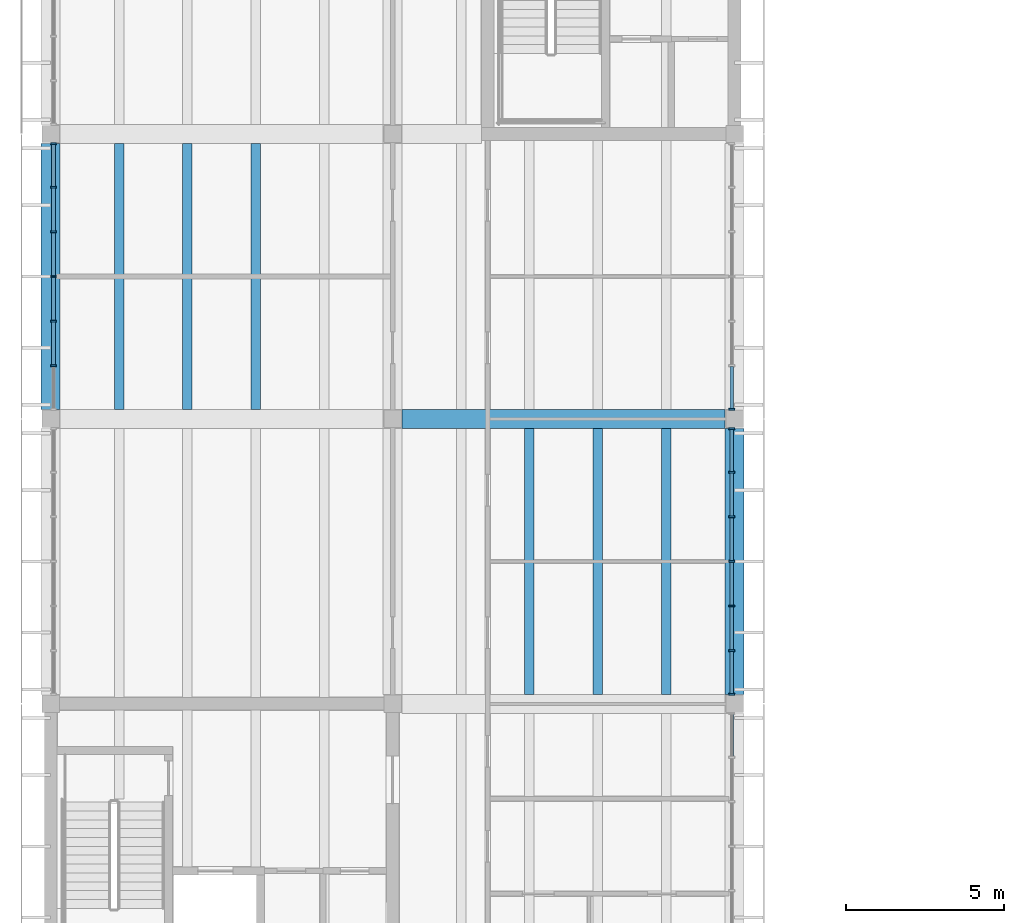
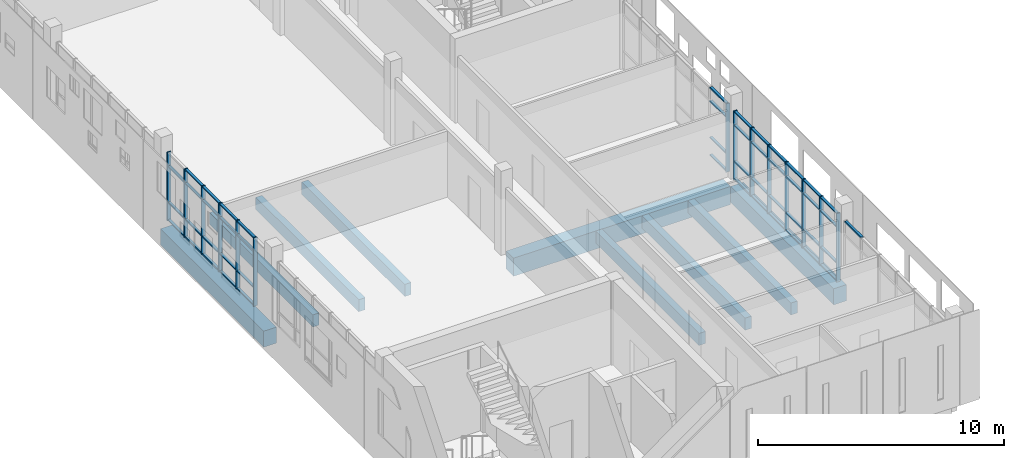
# One storey, part 14 of 74: 62 members, 9 beams, 4 elements without a shape of their own.
"""IFC4 building model written with IfcOpenShell, lengths in metres."""

from ifc_helpers import new_model, si_unit, direction, frame, origin, origin_2d, place, context, subcontext, project, spatial, rectangle, extrude, material, material_profile, profile_set, type_object, element, aggregate, save


model = new_model("IFC4")

# Units and contexts
model_context = context("Model", 3, precision=1e-05, world=origin(), true_north=direction((0.0, 1.0)))
body_context = subcontext(model_context, "Body", "Model", "MODEL_VIEW")
ifc_project = project(units=[si_unit("LENGTHUNIT", "METRE"), si_unit("AREAUNIT", "SQUARE_METRE"), si_unit("VOLUMEUNIT", "CUBIC_METRE"), si_unit("PLANEANGLEUNIT", "RADIAN"), si_unit("MASSUNIT", "GRAM", prefix="KILO")], contexts=[model_context])

# Site, building, storey
site_placement = place(None, origin())
site = spatial("IfcSite", under=ifc_project, at=site_placement, CompositionType="ELEMENT")
building_placement = place(site_placement, origin())
building = spatial("IfcBuilding", under=site, at=building_placement, Name="Merrow Basin Faculty of Sciences", CompositionType="ELEMENT")
storey_placement = place(building_placement, frame((0.0, 0.0, 13.5)))
storey = spatial("IfcBuildingStorey", under=building, at=storey_placement, Name="L03", CompositionType="ELEMENT", Elevation=13.5)

# Curtain wall, members
ifc_material_1 = material(Name="Aluminium alloy 6063", Category="aluminium")
curtain_wall_type = type_object("IfcCurtainWallType", Name="Bar unitised curtain wall 180", PredefinedType="NOTDEFINED", material=ifc_material_1)
curtain_wall_1_placement = place(storey_placement, origin())
curtain_wall_1 = element("IfcCurtainWall", 1, at=curtain_wall_1_placement, inside=storey, type_object=curtain_wall_type, Name="West curtain wall L03 2", PredefinedType="NOTDEFINED")
ifc_material_2 = material(Name="Aluminium alloy 6063", Category="aluminium")
ifc_material_profile_1 = material_profile(ifc_material_2, rectangle(XDim=0.179931640625, YDim=0.06005859375, at=origin_2d()))
ifc_profile_set_1 = profile_set([ifc_material_profile_1], Name="Aluminium alloy 6063")
member_type_1 = type_object("IfcMemberType", Name="Aluminium mullion 60x180", PredefinedType="MULLION", material=ifc_profile_set_1)
member_1_placement = place(storey_placement, frame((0.090087890625, 80.683349609375, 0.0), z_axis=(0.0, 0.0, 1.0), x_axis=(-1.0, 0.0, 0.0)))
member_1 = element("IfcMember", 2, at=member_1_placement, type_object=member_type_1, Name="CW1 mullion 2", PredefinedType="MULLION", context=body_context, shape_type="SweptSolid", body=[
    extrude(rectangle(XDim=0.179931640625, YDim=0.06005859375, at=origin_2d()), origin(), (0.0, 0.0, 1.0), 3.39990234375),
])
member_2_placement = place(storey_placement, frame((0.090087890625, 82.091552734375, 0.0), z_axis=(0.0, 0.0, 1.0), x_axis=(-1.0, 0.0, 0.0)))
member_2 = element("IfcMember", 3, at=member_2_placement, type_object=member_type_1, Name="CW1 mullion 3", PredefinedType="MULLION", context=body_context, shape_type="SweptSolid", body=[
    extrude(rectangle(XDim=0.179931640625, YDim=0.06005859375, at=origin_2d()), origin(), (0.0, 0.0, 1.0), 3.39990234375),
])
member_3_placement = place(storey_placement, frame((0.090087890625, 83.5, 0.0), z_axis=(0.0, 0.0, 1.0), x_axis=(-1.0, 0.0, 0.0)))
member_3 = element("IfcMember", 4, at=member_3_placement, type_object=member_type_1, Name="CW1 mullion 4", PredefinedType="MULLION", context=body_context, shape_type="SweptSolid", body=[
    extrude(rectangle(XDim=0.179931640625, YDim=0.06005859375, at=origin_2d()), origin(), (0.0, 0.0, 1.0), 3.39990234375),
])
member_4_placement = place(storey_placement, frame((0.090087890625, 84.908447265625, 0.0), z_axis=(0.0, 0.0, 1.0), x_axis=(-1.0, 0.0, 0.0)))
member_4 = element("IfcMember", 5, at=member_4_placement, type_object=member_type_1, Name="CW1 mullion 5", PredefinedType="MULLION", context=body_context, shape_type="SweptSolid", body=[
    extrude(rectangle(XDim=0.179931640625, YDim=0.06005859375, at=origin_2d()), origin(), (0.0, 0.0, 1.0), 3.39990234375),
])
member_5_placement = place(storey_placement, frame((0.090087890625, 86.316650390625, 0.0), z_axis=(0.0, 0.0, 1.0), x_axis=(-1.0, 0.0, 0.0)))
member_5 = element("IfcMember", 6, at=member_5_placement, type_object=member_type_1, Name="CW1 mullion 6", PredefinedType="MULLION", context=body_context, shape_type="SweptSolid", body=[
    extrude(rectangle(XDim=0.179931640625, YDim=0.06005859375, at=origin_2d()), origin(), (0.0, 0.0, 1.0), 3.39990234375),
])
member_6_placement = place(storey_placement, frame((0.090087890625, 87.695068359375, 0.0), z_axis=(0.0, 0.0, 1.0), x_axis=(-1.0, 0.0, 0.0)))
member_6 = element("IfcMember", 7, at=member_6_placement, type_object=member_type_1, Name="CW1 mullion 7", PredefinedType="MULLION", context=body_context, shape_type="SweptSolid", body=[
    extrude(rectangle(XDim=0.179931640625, YDim=0.06005859375, at=origin_2d()), origin(), (0.0, 0.0, 1.0), 3.39990234375),
])

curtain_wall_2_placement = place(storey_placement, origin())
curtain_wall_2 = element("IfcCurtainWall", 8, at=curtain_wall_2_placement, inside=storey, type_object=curtain_wall_type, Name="East curtain wall L03 2", PredefinedType="NOTDEFINED")
member_7_placement = place(storey_placement, frame((21.510009765625, 70.304931640625, 0.0), z_axis=(0.0, 0.0, 1.0), x_axis=(-1.0, 0.0, 0.0)))
member_7 = element("IfcMember", 9, at=member_7_placement, type_object=member_type_1, Name="CW1 mullion 1", PredefinedType="MULLION", context=body_context, shape_type="SweptSolid", body=[
    extrude(rectangle(XDim=0.179931640625, YDim=0.06005859375, at=origin_2d()), origin(), (0.0, 0.0, 1.0), 3.39990234375),
])
member_8_placement = place(storey_placement, frame((21.510009765625, 71.683349609375, 0.0), z_axis=(0.0, 0.0, 1.0), x_axis=(-1.0, 0.0, 0.0)))
member_8 = element("IfcMember", 10, at=member_8_placement, type_object=member_type_1, Name="CW1 mullion 2", PredefinedType="MULLION", context=body_context, shape_type="SweptSolid", body=[
    extrude(rectangle(XDim=0.179931640625, YDim=0.06005859375, at=origin_2d()), origin(), (0.0, 0.0, 1.0), 3.39990234375),
])
member_9_placement = place(storey_placement, frame((21.510009765625, 73.091552734375, 0.0), z_axis=(0.0, 0.0, 1.0), x_axis=(-1.0, 0.0, 0.0)))
member_9 = element("IfcMember", 11, at=member_9_placement, type_object=member_type_1, Name="CW1 mullion 3", PredefinedType="MULLION", context=body_context, shape_type="SweptSolid", body=[
    extrude(rectangle(XDim=0.179931640625, YDim=0.06005859375, at=origin_2d()), origin(), (0.0, 0.0, 1.0), 3.39990234375),
])
member_10_placement = place(storey_placement, frame((21.510009765625, 74.5, 0.0), z_axis=(0.0, 0.0, 1.0), x_axis=(-1.0, 0.0, 0.0)))
member_10 = element("IfcMember", 12, at=member_10_placement, type_object=member_type_1, Name="CW1 mullion 4", PredefinedType="MULLION", context=body_context, shape_type="SweptSolid", body=[
    extrude(rectangle(XDim=0.179931640625, YDim=0.06005859375, at=origin_2d()), origin(), (0.0, 0.0, 1.0), 3.39990234375),
])
member_11_placement = place(storey_placement, frame((21.510009765625, 75.908447265625, 0.0), z_axis=(0.0, 0.0, 1.0), x_axis=(-1.0, 0.0, 0.0)))
member_11 = element("IfcMember", 13, at=member_11_placement, type_object=member_type_1, Name="CW1 mullion 5", PredefinedType="MULLION", context=body_context, shape_type="SweptSolid", body=[
    extrude(rectangle(XDim=0.179931640625, YDim=0.06005859375, at=origin_2d()), origin(), (0.0, 0.0, 1.0), 3.39990234375),
])
member_12_placement = place(storey_placement, frame((21.510009765625, 77.316650390625, 0.0), z_axis=(0.0, 0.0, 1.0), x_axis=(-1.0, 0.0, 0.0)))
member_12 = element("IfcMember", 14, at=member_12_placement, type_object=member_type_1, Name="CW1 mullion 6", PredefinedType="MULLION", context=body_context, shape_type="SweptSolid", body=[
    extrude(rectangle(XDim=0.179931640625, YDim=0.06005859375, at=origin_2d()), origin(), (0.0, 0.0, 1.0), 3.39990234375),
])
member_13_placement = place(storey_placement, frame((21.510009765625, 78.695068359375, 0.0), z_axis=(0.0, 0.0, 1.0), x_axis=(-1.0, 0.0, 0.0)))
member_13 = element("IfcMember", 15, at=member_13_placement, type_object=member_type_1, Name="CW1 mullion 7", PredefinedType="MULLION", context=body_context, shape_type="SweptSolid", body=[
    extrude(rectangle(XDim=0.179931640625, YDim=0.06005859375, at=origin_2d()), origin(), (0.0, 0.0, 1.0), 3.39990234375),
])

# Curtain wall, member
curtain_wall_3_placement = place(storey_placement, origin())
curtain_wall_3 = element("IfcCurtainWall", 16, at=curtain_wall_3_placement, inside=storey, type_object=curtain_wall_type, Name="East curtain wall L03 3", PredefinedType="NOTDEFINED")
member_14_placement = place(storey_placement, frame((21.510009765625, 79.304931640625, 0.0), z_axis=(0.0, 0.0, 1.0), x_axis=(-1.0, 0.0, 0.0)))
member_14 = element("IfcMember", 17, at=member_14_placement, type_object=member_type_1, Name="CW1 mullion 1", PredefinedType="MULLION", context=body_context, shape_type="SweptSolid", body=[
    extrude(rectangle(XDim=0.179931640625, YDim=0.06005859375, at=origin_2d()), origin(), (0.0, 0.0, 1.0), 3.39990234375),
])

# Member
ifc_material_3 = material(Name="Aluminium alloy 6063", Category="aluminium")
ifc_material_profile_2 = material_profile(ifc_material_3, rectangle(XDim=0.1201171875, YDim=0.06005859375, at=origin_2d()))
ifc_profile_set_2 = profile_set([ifc_material_profile_2], Name="Aluminium alloy 6063")
member_type_2 = type_object("IfcMemberType", Name="Aluminium transom 60x120", PredefinedType="USERDEFINED", material=ifc_profile_set_2)
member_15_placement = place(storey_placement, frame((0.090087890625, 80.71337890625, 0.030029296875), z_axis=(0.0, 1.0, 0.0), x_axis=(-1.0, 0.0, 0.0)))
member_15 = element("IfcMember", 18, at=member_15_placement, type_object=member_type_2, Name="CW1 transom 2.1", ObjectType="TRANSOM", PredefinedType="USERDEFINED", context=body_context, shape_type="SweptSolid", body=[
    extrude(rectangle(XDim=0.1201171875, YDim=0.06005859375, at=origin_2d()), origin(), (0.0, 0.0, 1.0), 1.348388671875),
])

member_16_placement = place(storey_placement, frame((0.090087890625, 80.71337890625, 0.89990234375), z_axis=(0.0, 1.0, 0.0), x_axis=(-1.0, 0.0, 0.0)))
member_16 = element("IfcMember", 19, at=member_16_placement, type_object=member_type_2, Name="CW1 transom 2.2", ObjectType="TRANSOM", PredefinedType="USERDEFINED", context=body_context, shape_type="SweptSolid", body=[
    extrude(rectangle(XDim=0.1201171875, YDim=0.06005859375, at=origin_2d()), origin(), (0.0, 0.0, 1.0), 1.348388671875),
])

member_17_placement = place(storey_placement, frame((0.090087890625, 80.71337890625, 2.699951171875), z_axis=(0.0, 1.0, 0.0), x_axis=(-1.0, 0.0, 0.0)))
member_17 = element("IfcMember", 20, at=member_17_placement, type_object=member_type_2, Name="CW1 transom 2.3", ObjectType="TRANSOM", PredefinedType="USERDEFINED", context=body_context, shape_type="SweptSolid", body=[
    extrude(rectangle(XDim=0.1201171875, YDim=0.06005859375, at=origin_2d()), origin(), (0.0, 0.0, 1.0), 1.348388671875),
])

member_18_placement = place(storey_placement, frame((0.090087890625, 80.71337890625, 3.3701171875), z_axis=(0.0, 1.0, 0.0), x_axis=(-1.0, 0.0, 0.0)))
member_18 = element("IfcMember", 21, at=member_18_placement, type_object=member_type_2, Name="CW1 transom 2.4", ObjectType="TRANSOM", PredefinedType="USERDEFINED", context=body_context, shape_type="SweptSolid", body=[
    extrude(rectangle(XDim=0.1201171875, YDim=0.06005859375, at=origin_2d()), origin(), (0.0, 0.0, 1.0), 1.348388671875),
])

member_19_placement = place(storey_placement, frame((0.090087890625, 82.12158203125, 0.030029296875), z_axis=(0.0, 1.0, 0.0), x_axis=(-1.0, 0.0, 0.0)))
member_19 = element("IfcMember", 22, at=member_19_placement, type_object=member_type_2, Name="CW1 transom 3.1", ObjectType="TRANSOM", PredefinedType="USERDEFINED", context=body_context, shape_type="SweptSolid", body=[
    extrude(rectangle(XDim=0.1201171875, YDim=0.06005859375, at=origin_2d()), origin(), (0.0, 0.0, 1.0), 1.348388671875),
])

member_20_placement = place(storey_placement, frame((0.090087890625, 82.12158203125, 0.89990234375), z_axis=(0.0, 1.0, 0.0), x_axis=(-1.0, 0.0, 0.0)))
member_20 = element("IfcMember", 23, at=member_20_placement, type_object=member_type_2, Name="CW1 transom 3.2", ObjectType="TRANSOM", PredefinedType="USERDEFINED", context=body_context, shape_type="SweptSolid", body=[
    extrude(rectangle(XDim=0.1201171875, YDim=0.06005859375, at=origin_2d()), origin(), (0.0, 0.0, 1.0), 1.348388671875),
])

member_21_placement = place(storey_placement, frame((0.090087890625, 82.12158203125, 2.699951171875), z_axis=(0.0, 1.0, 0.0), x_axis=(-1.0, 0.0, 0.0)))
member_21 = element("IfcMember", 24, at=member_21_placement, type_object=member_type_2, Name="CW1 transom 3.3", ObjectType="TRANSOM", PredefinedType="USERDEFINED", context=body_context, shape_type="SweptSolid", body=[
    extrude(rectangle(XDim=0.1201171875, YDim=0.06005859375, at=origin_2d()), origin(), (0.0, 0.0, 1.0), 1.348388671875),
])

member_22_placement = place(storey_placement, frame((0.090087890625, 82.12158203125, 3.3701171875), z_axis=(0.0, 1.0, 0.0), x_axis=(-1.0, 0.0, 0.0)))
member_22 = element("IfcMember", 25, at=member_22_placement, type_object=member_type_2, Name="CW1 transom 3.4", ObjectType="TRANSOM", PredefinedType="USERDEFINED", context=body_context, shape_type="SweptSolid", body=[
    extrude(rectangle(XDim=0.1201171875, YDim=0.06005859375, at=origin_2d()), origin(), (0.0, 0.0, 1.0), 1.348388671875),
])

member_23_placement = place(storey_placement, frame((0.090087890625, 83.530029296875, 0.030029296875), z_axis=(0.0, 1.0, 0.0), x_axis=(-1.0, 0.0, 0.0)))
member_23 = element("IfcMember", 26, at=member_23_placement, type_object=member_type_2, Name="CW1 transom 4.1", ObjectType="TRANSOM", PredefinedType="USERDEFINED", context=body_context, shape_type="SweptSolid", body=[
    extrude(rectangle(XDim=0.1201171875, YDim=0.06005859375, at=origin_2d()), origin(), (0.0, 0.0, 1.0), 1.348388671875),
])

member_24_placement = place(storey_placement, frame((0.090087890625, 83.530029296875, 0.89990234375), z_axis=(0.0, 1.0, 0.0), x_axis=(-1.0, 0.0, 0.0)))
member_24 = element("IfcMember", 27, at=member_24_placement, type_object=member_type_2, Name="CW1 transom 4.2", ObjectType="TRANSOM", PredefinedType="USERDEFINED", context=body_context, shape_type="SweptSolid", body=[
    extrude(rectangle(XDim=0.1201171875, YDim=0.06005859375, at=origin_2d()), origin(), (0.0, 0.0, 1.0), 1.348388671875),
])

member_25_placement = place(storey_placement, frame((0.090087890625, 83.530029296875, 2.699951171875), z_axis=(0.0, 1.0, 0.0), x_axis=(-1.0, 0.0, 0.0)))
member_25 = element("IfcMember", 28, at=member_25_placement, type_object=member_type_2, Name="CW1 transom 4.3", ObjectType="TRANSOM", PredefinedType="USERDEFINED", context=body_context, shape_type="SweptSolid", body=[
    extrude(rectangle(XDim=0.1201171875, YDim=0.06005859375, at=origin_2d()), origin(), (0.0, 0.0, 1.0), 1.348388671875),
])

member_26_placement = place(storey_placement, frame((0.090087890625, 83.530029296875, 3.3701171875), z_axis=(0.0, 1.0, 0.0), x_axis=(-1.0, 0.0, 0.0)))
member_26 = element("IfcMember", 29, at=member_26_placement, type_object=member_type_2, Name="CW1 transom 4.4", ObjectType="TRANSOM", PredefinedType="USERDEFINED", context=body_context, shape_type="SweptSolid", body=[
    extrude(rectangle(XDim=0.1201171875, YDim=0.06005859375, at=origin_2d()), origin(), (0.0, 0.0, 1.0), 1.348388671875),
])

member_27_placement = place(storey_placement, frame((0.090087890625, 84.938232421875, 0.030029296875), z_axis=(0.0, 1.0, 0.0), x_axis=(-1.0, 0.0, 0.0)))
member_27 = element("IfcMember", 30, at=member_27_placement, type_object=member_type_2, Name="CW1 transom 5.1", ObjectType="TRANSOM", PredefinedType="USERDEFINED", context=body_context, shape_type="SweptSolid", body=[
    extrude(rectangle(XDim=0.1201171875, YDim=0.06005859375, at=origin_2d()), origin(), (0.0, 0.0, 1.0), 1.348388671875),
])

member_28_placement = place(storey_placement, frame((0.090087890625, 84.938232421875, 0.89990234375), z_axis=(0.0, 1.0, 0.0), x_axis=(-1.0, 0.0, 0.0)))
member_28 = element("IfcMember", 31, at=member_28_placement, type_object=member_type_2, Name="CW1 transom 5.2", ObjectType="TRANSOM", PredefinedType="USERDEFINED", context=body_context, shape_type="SweptSolid", body=[
    extrude(rectangle(XDim=0.1201171875, YDim=0.06005859375, at=origin_2d()), origin(), (0.0, 0.0, 1.0), 1.348388671875),
])

member_29_placement = place(storey_placement, frame((0.090087890625, 84.938232421875, 2.699951171875), z_axis=(0.0, 1.0, 0.0), x_axis=(-1.0, 0.0, 0.0)))
member_29 = element("IfcMember", 32, at=member_29_placement, type_object=member_type_2, Name="CW1 transom 5.3", ObjectType="TRANSOM", PredefinedType="USERDEFINED", context=body_context, shape_type="SweptSolid", body=[
    extrude(rectangle(XDim=0.1201171875, YDim=0.06005859375, at=origin_2d()), origin(), (0.0, 0.0, 1.0), 1.348388671875),
])

member_30_placement = place(storey_placement, frame((0.090087890625, 84.938232421875, 3.3701171875), z_axis=(0.0, 1.0, 0.0), x_axis=(-1.0, 0.0, 0.0)))
member_30 = element("IfcMember", 33, at=member_30_placement, type_object=member_type_2, Name="CW1 transom 5.4", ObjectType="TRANSOM", PredefinedType="USERDEFINED", context=body_context, shape_type="SweptSolid", body=[
    extrude(rectangle(XDim=0.1201171875, YDim=0.06005859375, at=origin_2d()), origin(), (0.0, 0.0, 1.0), 1.348388671875),
])

member_31_placement = place(storey_placement, frame((0.090087890625, 86.3466796875, 0.030029296875), z_axis=(0.0, 1.0, 0.0), x_axis=(-1.0, 0.0, 0.0)))
member_31 = element("IfcMember", 34, at=member_31_placement, type_object=member_type_2, Name="CW1 transom 6.1", ObjectType="TRANSOM", PredefinedType="USERDEFINED", context=body_context, shape_type="SweptSolid", body=[
    extrude(rectangle(XDim=0.1201171875, YDim=0.06005859375, at=origin_2d()), origin(), (0.0, 0.0, 1.0), 1.318359375),
])

member_32_placement = place(storey_placement, frame((0.090087890625, 86.3466796875, 0.89990234375), z_axis=(0.0, 1.0, 0.0), x_axis=(-1.0, 0.0, 0.0)))
member_32 = element("IfcMember", 35, at=member_32_placement, type_object=member_type_2, Name="CW1 transom 6.2", ObjectType="TRANSOM", PredefinedType="USERDEFINED", context=body_context, shape_type="SweptSolid", body=[
    extrude(rectangle(XDim=0.1201171875, YDim=0.06005859375, at=origin_2d()), origin(), (0.0, 0.0, 1.0), 1.318359375),
])

member_33_placement = place(storey_placement, frame((0.090087890625, 86.3466796875, 2.699951171875), z_axis=(0.0, 1.0, 0.0), x_axis=(-1.0, 0.0, 0.0)))
member_33 = element("IfcMember", 36, at=member_33_placement, type_object=member_type_2, Name="CW1 transom 6.3", ObjectType="TRANSOM", PredefinedType="USERDEFINED", context=body_context, shape_type="SweptSolid", body=[
    extrude(rectangle(XDim=0.1201171875, YDim=0.06005859375, at=origin_2d()), origin(), (0.0, 0.0, 1.0), 1.318359375),
])

aggregate(curtain_wall_1, [member_1, member_2, member_3, member_4, member_5, member_6, member_15, member_16, member_17, member_18, member_19, member_20, member_21, member_22, member_23, member_24, member_25, member_26, member_27, member_28, member_29, member_30, member_31, member_32, member_33])

# Curtain wall, member
curtain_wall_4_placement = place(storey_placement, origin())
curtain_wall_4 = element("IfcCurtainWall", 37, at=curtain_wall_4_placement, inside=storey, type_object=curtain_wall_type, Name="East curtain wall L03 1", PredefinedType="NOTDEFINED")
member_34_placement = place(storey_placement, frame((21.510009765625, 68.3466796875, 3.3701171875), z_axis=(0.0, 1.0, 0.0), x_axis=(-1.0, 0.0, 0.0)))
member_34 = element("IfcMember", 38, at=member_34_placement, type_object=member_type_2, Name="CW1 transom 6.4", ObjectType="TRANSOM", PredefinedType="USERDEFINED", context=body_context, shape_type="SweptSolid", body=[
    extrude(rectangle(XDim=0.1201171875, YDim=0.06005859375, at=origin_2d()), origin(), (0.0, 0.0, 1.0), 1.318359375),
])
aggregate(curtain_wall_4, [member_34])

# Member
member_35_placement = place(storey_placement, frame((21.510009765625, 70.3349609375, 0.030029296875), z_axis=(0.0, 1.0, 0.0), x_axis=(-1.0, 0.0, 0.0)))
member_35 = element("IfcMember", 39, at=member_35_placement, type_object=member_type_2, Name="CW1 transom 1.1", ObjectType="TRANSOM", PredefinedType="USERDEFINED", context=body_context, shape_type="SweptSolid", body=[
    extrude(rectangle(XDim=0.1201171875, YDim=0.06005859375, at=origin_2d()), origin(), (0.0, 0.0, 1.0), 1.318359375),
])

member_36_placement = place(storey_placement, frame((21.510009765625, 70.3349609375, 0.89990234375), z_axis=(0.0, 1.0, 0.0), x_axis=(-1.0, 0.0, 0.0)))
member_36 = element("IfcMember", 40, at=member_36_placement, type_object=member_type_2, Name="CW1 transom 1.2", ObjectType="TRANSOM", PredefinedType="USERDEFINED", context=body_context, shape_type="SweptSolid", body=[
    extrude(rectangle(XDim=0.1201171875, YDim=0.06005859375, at=origin_2d()), origin(), (0.0, 0.0, 1.0), 1.318359375),
])

member_37_placement = place(storey_placement, frame((21.510009765625, 70.3349609375, 2.699951171875), z_axis=(0.0, 1.0, 0.0), x_axis=(-1.0, 0.0, 0.0)))
member_37 = element("IfcMember", 41, at=member_37_placement, type_object=member_type_2, Name="CW1 transom 1.3", ObjectType="TRANSOM", PredefinedType="USERDEFINED", context=body_context, shape_type="SweptSolid", body=[
    extrude(rectangle(XDim=0.1201171875, YDim=0.06005859375, at=origin_2d()), origin(), (0.0, 0.0, 1.0), 1.318359375),
])

member_38_placement = place(storey_placement, frame((21.510009765625, 70.3349609375, 3.3701171875), z_axis=(0.0, 1.0, 0.0), x_axis=(-1.0, 0.0, 0.0)))
member_38 = element("IfcMember", 42, at=member_38_placement, type_object=member_type_2, Name="CW1 transom 1.4", ObjectType="TRANSOM", PredefinedType="USERDEFINED", context=body_context, shape_type="SweptSolid", body=[
    extrude(rectangle(XDim=0.1201171875, YDim=0.06005859375, at=origin_2d()), origin(), (0.0, 0.0, 1.0), 1.318359375),
])

member_39_placement = place(storey_placement, frame((21.510009765625, 71.71337890625, 0.030029296875), z_axis=(0.0, 1.0, 0.0), x_axis=(-1.0, 0.0, 0.0)))
member_39 = element("IfcMember", 43, at=member_39_placement, type_object=member_type_2, Name="CW1 transom 2.1", ObjectType="TRANSOM", PredefinedType="USERDEFINED", context=body_context, shape_type="SweptSolid", body=[
    extrude(rectangle(XDim=0.1201171875, YDim=0.06005859375, at=origin_2d()), origin(), (0.0, 0.0, 1.0), 1.348388671875),
])

member_40_placement = place(storey_placement, frame((21.510009765625, 71.71337890625, 0.89990234375), z_axis=(0.0, 1.0, 0.0), x_axis=(-1.0, 0.0, 0.0)))
member_40 = element("IfcMember", 44, at=member_40_placement, type_object=member_type_2, Name="CW1 transom 2.2", ObjectType="TRANSOM", PredefinedType="USERDEFINED", context=body_context, shape_type="SweptSolid", body=[
    extrude(rectangle(XDim=0.1201171875, YDim=0.06005859375, at=origin_2d()), origin(), (0.0, 0.0, 1.0), 1.348388671875),
])

member_41_placement = place(storey_placement, frame((21.510009765625, 71.71337890625, 2.699951171875), z_axis=(0.0, 1.0, 0.0), x_axis=(-1.0, 0.0, 0.0)))
member_41 = element("IfcMember", 45, at=member_41_placement, type_object=member_type_2, Name="CW1 transom 2.3", ObjectType="TRANSOM", PredefinedType="USERDEFINED", context=body_context, shape_type="SweptSolid", body=[
    extrude(rectangle(XDim=0.1201171875, YDim=0.06005859375, at=origin_2d()), origin(), (0.0, 0.0, 1.0), 1.348388671875),
])

member_42_placement = place(storey_placement, frame((21.510009765625, 71.71337890625, 3.3701171875), z_axis=(0.0, 1.0, 0.0), x_axis=(-1.0, 0.0, 0.0)))
member_42 = element("IfcMember", 46, at=member_42_placement, type_object=member_type_2, Name="CW1 transom 2.4", ObjectType="TRANSOM", PredefinedType="USERDEFINED", context=body_context, shape_type="SweptSolid", body=[
    extrude(rectangle(XDim=0.1201171875, YDim=0.06005859375, at=origin_2d()), origin(), (0.0, 0.0, 1.0), 1.348388671875),
])

member_43_placement = place(storey_placement, frame((21.510009765625, 73.12158203125, 0.030029296875), z_axis=(0.0, 1.0, 0.0), x_axis=(-1.0, 0.0, 0.0)))
member_43 = element("IfcMember", 47, at=member_43_placement, type_object=member_type_2, Name="CW1 transom 3.1", ObjectType="TRANSOM", PredefinedType="USERDEFINED", context=body_context, shape_type="SweptSolid", body=[
    extrude(rectangle(XDim=0.1201171875, YDim=0.06005859375, at=origin_2d()), origin(), (0.0, 0.0, 1.0), 1.348388671875),
])

member_44_placement = place(storey_placement, frame((21.510009765625, 73.12158203125, 0.89990234375), z_axis=(0.0, 1.0, 0.0), x_axis=(-1.0, 0.0, 0.0)))
member_44 = element("IfcMember", 48, at=member_44_placement, type_object=member_type_2, Name="CW1 transom 3.2", ObjectType="TRANSOM", PredefinedType="USERDEFINED", context=body_context, shape_type="SweptSolid", body=[
    extrude(rectangle(XDim=0.1201171875, YDim=0.06005859375, at=origin_2d()), origin(), (0.0, 0.0, 1.0), 1.348388671875),
])

member_45_placement = place(storey_placement, frame((21.510009765625, 73.12158203125, 2.699951171875), z_axis=(0.0, 1.0, 0.0), x_axis=(-1.0, 0.0, 0.0)))
member_45 = element("IfcMember", 49, at=member_45_placement, type_object=member_type_2, Name="CW1 transom 3.3", ObjectType="TRANSOM", PredefinedType="USERDEFINED", context=body_context, shape_type="SweptSolid", body=[
    extrude(rectangle(XDim=0.1201171875, YDim=0.06005859375, at=origin_2d()), origin(), (0.0, 0.0, 1.0), 1.348388671875),
])

member_46_placement = place(storey_placement, frame((21.510009765625, 73.12158203125, 3.3701171875), z_axis=(0.0, 1.0, 0.0), x_axis=(-1.0, 0.0, 0.0)))
member_46 = element("IfcMember", 50, at=member_46_placement, type_object=member_type_2, Name="CW1 transom 3.4", ObjectType="TRANSOM", PredefinedType="USERDEFINED", context=body_context, shape_type="SweptSolid", body=[
    extrude(rectangle(XDim=0.1201171875, YDim=0.06005859375, at=origin_2d()), origin(), (0.0, 0.0, 1.0), 1.348388671875),
])

member_47_placement = place(storey_placement, frame((21.510009765625, 74.530029296875, 0.030029296875), z_axis=(0.0, 1.0, 0.0), x_axis=(-1.0, 0.0, 0.0)))
member_47 = element("IfcMember", 51, at=member_47_placement, type_object=member_type_2, Name="CW1 transom 4.1", ObjectType="TRANSOM", PredefinedType="USERDEFINED", context=body_context, shape_type="SweptSolid", body=[
    extrude(rectangle(XDim=0.1201171875, YDim=0.06005859375, at=origin_2d()), origin(), (0.0, 0.0, 1.0), 1.348388671875),
])

member_48_placement = place(storey_placement, frame((21.510009765625, 74.530029296875, 0.89990234375), z_axis=(0.0, 1.0, 0.0), x_axis=(-1.0, 0.0, 0.0)))
member_48 = element("IfcMember", 52, at=member_48_placement, type_object=member_type_2, Name="CW1 transom 4.2", ObjectType="TRANSOM", PredefinedType="USERDEFINED", context=body_context, shape_type="SweptSolid", body=[
    extrude(rectangle(XDim=0.1201171875, YDim=0.06005859375, at=origin_2d()), origin(), (0.0, 0.0, 1.0), 1.348388671875),
])

member_49_placement = place(storey_placement, frame((21.510009765625, 74.530029296875, 2.699951171875), z_axis=(0.0, 1.0, 0.0), x_axis=(-1.0, 0.0, 0.0)))
member_49 = element("IfcMember", 53, at=member_49_placement, type_object=member_type_2, Name="CW1 transom 4.3", ObjectType="TRANSOM", PredefinedType="USERDEFINED", context=body_context, shape_type="SweptSolid", body=[
    extrude(rectangle(XDim=0.1201171875, YDim=0.06005859375, at=origin_2d()), origin(), (0.0, 0.0, 1.0), 1.348388671875),
])

member_50_placement = place(storey_placement, frame((21.510009765625, 74.530029296875, 3.3701171875), z_axis=(0.0, 1.0, 0.0), x_axis=(-1.0, 0.0, 0.0)))
member_50 = element("IfcMember", 54, at=member_50_placement, type_object=member_type_2, Name="CW1 transom 4.4", ObjectType="TRANSOM", PredefinedType="USERDEFINED", context=body_context, shape_type="SweptSolid", body=[
    extrude(rectangle(XDim=0.1201171875, YDim=0.06005859375, at=origin_2d()), origin(), (0.0, 0.0, 1.0), 1.348388671875),
])

member_51_placement = place(storey_placement, frame((21.510009765625, 75.938232421875, 0.030029296875), z_axis=(0.0, 1.0, 0.0), x_axis=(-1.0, 0.0, 0.0)))
member_51 = element("IfcMember", 55, at=member_51_placement, type_object=member_type_2, Name="CW1 transom 5.1", ObjectType="TRANSOM", PredefinedType="USERDEFINED", context=body_context, shape_type="SweptSolid", body=[
    extrude(rectangle(XDim=0.1201171875, YDim=0.06005859375, at=origin_2d()), origin(), (0.0, 0.0, 1.0), 1.348388671875),
])

member_52_placement = place(storey_placement, frame((21.510009765625, 75.938232421875, 0.89990234375), z_axis=(0.0, 1.0, 0.0), x_axis=(-1.0, 0.0, 0.0)))
member_52 = element("IfcMember", 56, at=member_52_placement, type_object=member_type_2, Name="CW1 transom 5.2", ObjectType="TRANSOM", PredefinedType="USERDEFINED", context=body_context, shape_type="SweptSolid", body=[
    extrude(rectangle(XDim=0.1201171875, YDim=0.06005859375, at=origin_2d()), origin(), (0.0, 0.0, 1.0), 1.348388671875),
])

member_53_placement = place(storey_placement, frame((21.510009765625, 75.938232421875, 2.699951171875), z_axis=(0.0, 1.0, 0.0), x_axis=(-1.0, 0.0, 0.0)))
member_53 = element("IfcMember", 57, at=member_53_placement, type_object=member_type_2, Name="CW1 transom 5.3", ObjectType="TRANSOM", PredefinedType="USERDEFINED", context=body_context, shape_type="SweptSolid", body=[
    extrude(rectangle(XDim=0.1201171875, YDim=0.06005859375, at=origin_2d()), origin(), (0.0, 0.0, 1.0), 1.348388671875),
])

member_54_placement = place(storey_placement, frame((21.510009765625, 75.938232421875, 3.3701171875), z_axis=(0.0, 1.0, 0.0), x_axis=(-1.0, 0.0, 0.0)))
member_54 = element("IfcMember", 58, at=member_54_placement, type_object=member_type_2, Name="CW1 transom 5.4", ObjectType="TRANSOM", PredefinedType="USERDEFINED", context=body_context, shape_type="SweptSolid", body=[
    extrude(rectangle(XDim=0.1201171875, YDim=0.06005859375, at=origin_2d()), origin(), (0.0, 0.0, 1.0), 1.348388671875),
])

member_55_placement = place(storey_placement, frame((21.510009765625, 77.3466796875, 0.030029296875), z_axis=(0.0, 1.0, 0.0), x_axis=(-1.0, 0.0, 0.0)))
member_55 = element("IfcMember", 59, at=member_55_placement, type_object=member_type_2, Name="CW1 transom 6.1", ObjectType="TRANSOM", PredefinedType="USERDEFINED", context=body_context, shape_type="SweptSolid", body=[
    extrude(rectangle(XDim=0.1201171875, YDim=0.06005859375, at=origin_2d()), origin(), (0.0, 0.0, 1.0), 1.318359375),
])

member_56_placement = place(storey_placement, frame((21.510009765625, 77.3466796875, 0.89990234375), z_axis=(0.0, 1.0, 0.0), x_axis=(-1.0, 0.0, 0.0)))
member_56 = element("IfcMember", 60, at=member_56_placement, type_object=member_type_2, Name="CW1 transom 6.2", ObjectType="TRANSOM", PredefinedType="USERDEFINED", context=body_context, shape_type="SweptSolid", body=[
    extrude(rectangle(XDim=0.1201171875, YDim=0.06005859375, at=origin_2d()), origin(), (0.0, 0.0, 1.0), 1.318359375),
])

member_57_placement = place(storey_placement, frame((21.510009765625, 77.3466796875, 2.699951171875), z_axis=(0.0, 1.0, 0.0), x_axis=(-1.0, 0.0, 0.0)))
member_57 = element("IfcMember", 61, at=member_57_placement, type_object=member_type_2, Name="CW1 transom 6.3", ObjectType="TRANSOM", PredefinedType="USERDEFINED", context=body_context, shape_type="SweptSolid", body=[
    extrude(rectangle(XDim=0.1201171875, YDim=0.06005859375, at=origin_2d()), origin(), (0.0, 0.0, 1.0), 1.318359375),
])

member_58_placement = place(storey_placement, frame((21.510009765625, 77.3466796875, 3.3701171875), z_axis=(0.0, 1.0, 0.0), x_axis=(-1.0, 0.0, 0.0)))
member_58 = element("IfcMember", 62, at=member_58_placement, type_object=member_type_2, Name="CW1 transom 6.4", ObjectType="TRANSOM", PredefinedType="USERDEFINED", context=body_context, shape_type="SweptSolid", body=[
    extrude(rectangle(XDim=0.1201171875, YDim=0.06005859375, at=origin_2d()), origin(), (0.0, 0.0, 1.0), 1.318359375),
])

aggregate(curtain_wall_2, [member_7, member_8, member_9, member_10, member_11, member_12, member_13, member_35, member_36, member_37, member_38, member_39, member_40, member_41, member_42, member_43, member_44, member_45, member_46, member_47, member_48, member_49, member_50, member_51, member_52, member_53, member_54, member_55, member_56, member_57, member_58])

member_59_placement = place(storey_placement, frame((21.510009765625, 79.3349609375, 0.030029296875), z_axis=(0.0, 1.0, 0.0), x_axis=(-1.0, 0.0, 0.0)))
member_59 = element("IfcMember", 63, at=member_59_placement, type_object=member_type_2, Name="CW1 transom 1.1", ObjectType="TRANSOM", PredefinedType="USERDEFINED", context=body_context, shape_type="SweptSolid", body=[
    extrude(rectangle(XDim=0.1201171875, YDim=0.06005859375, at=origin_2d()), origin(), (0.0, 0.0, 1.0), 1.318359375),
])

member_60_placement = place(storey_placement, frame((21.510009765625, 79.3349609375, 0.89990234375), z_axis=(0.0, 1.0, 0.0), x_axis=(-1.0, 0.0, 0.0)))
member_60 = element("IfcMember", 64, at=member_60_placement, type_object=member_type_2, Name="CW1 transom 1.2", ObjectType="TRANSOM", PredefinedType="USERDEFINED", context=body_context, shape_type="SweptSolid", body=[
    extrude(rectangle(XDim=0.1201171875, YDim=0.06005859375, at=origin_2d()), origin(), (0.0, 0.0, 1.0), 1.318359375),
])

member_61_placement = place(storey_placement, frame((21.510009765625, 79.3349609375, 2.699951171875), z_axis=(0.0, 1.0, 0.0), x_axis=(-1.0, 0.0, 0.0)))
member_61 = element("IfcMember", 65, at=member_61_placement, type_object=member_type_2, Name="CW1 transom 1.3", ObjectType="TRANSOM", PredefinedType="USERDEFINED", context=body_context, shape_type="SweptSolid", body=[
    extrude(rectangle(XDim=0.1201171875, YDim=0.06005859375, at=origin_2d()), origin(), (0.0, 0.0, 1.0), 1.318359375),
])

member_62_placement = place(storey_placement, frame((21.510009765625, 79.3349609375, 3.3701171875), z_axis=(0.0, 1.0, 0.0), x_axis=(-1.0, 0.0, 0.0)))
member_62 = element("IfcMember", 66, at=member_62_placement, type_object=member_type_2, Name="CW1 transom 1.4", ObjectType="TRANSOM", PredefinedType="USERDEFINED", context=body_context, shape_type="SweptSolid", body=[
    extrude(rectangle(XDim=0.1201171875, YDim=0.06005859375, at=origin_2d()), origin(), (0.0, 0.0, 1.0), 1.318359375),
])

aggregate(curtain_wall_3, [member_14, member_59, member_60, member_61, member_62])

# Beams
ifc_material_4 = material(Name="Concrete C40/50", Category="concrete")
ifc_material_profile_3 = material_profile(ifc_material_4, rectangle(XDim=0.60009765625, YDim=0.800048828125, at=origin_2d()))
ifc_profile_set_3 = profile_set([ifc_material_profile_3], Name="Concrete C40/50")
beam_type_1 = type_object("IfcBeamType", Name="Beam RC600x800 C40/50", PredefinedType="BEAM", material=ifc_profile_set_3)
for number, where, z_axis, x_axis, name in (
    (67, (0.0, 79.300048828125, -0.699951171875), (0.0, 1.0, 0.0), (-1.0, 0.0, 0.0), "B2 L03 016"),
    (68, (21.60009765625, 70.300048828125, -0.699951171875), (0.0, 1.0, 0.0), (-1.0, 0.0, 0.0), "B2 L03 029"),
):
    element("IfcBeam", number, at=place(storey_placement, frame(where, z_axis=z_axis, x_axis=x_axis)), inside=storey, type_object=beam_type_1, Name=name, PredefinedType="BEAM", context=body_context, shape_type="SweptSolid", body=[
        extrude(rectangle(XDim=0.60009765625, YDim=0.800048828125, at=origin_2d()), origin(), (0.0, 0.0, 1.0), 8.39990234375),
    ])
ifc_material_5 = material(Name="Concrete C40/50", Category="concrete")
ifc_material_profile_4 = material_profile(ifc_material_5, rectangle(XDim=0.60009765625, YDim=0.89990234375, at=origin_2d()))
ifc_profile_set_4 = profile_set([ifc_material_profile_4], Name="Concrete C40/50")
beam_type_2 = type_object("IfcBeamType", Name="Beam RC600x900 C40/50", PredefinedType="BEAM", material=ifc_profile_set_4)
beam_placement = place(storey_placement, frame((11.10009765625, 79.0, -0.75), z_axis=(1.0, 0.0, 0.0), x_axis=(0.0, 1.0, 0.0)))
element("IfcBeam", 69, at=beam_placement, inside=storey, type_object=beam_type_2, Name="B1 L03 004", PredefinedType="BEAM", context=body_context, shape_type="SweptSolid", body=[
    extrude(rectangle(XDim=0.60009765625, YDim=0.89990234375, at=origin_2d()), origin(), (0.0, 0.0, 1.0), 10.199951171875),
])
ifc_material_6 = material(Name="Concrete C40/50", Category="concrete")
ifc_material_profile_5 = material_profile(ifc_material_6, rectangle(XDim=0.300048828125, YDim=0.60009765625, at=origin_2d()))
ifc_profile_set_5 = profile_set([ifc_material_profile_5], Name="Concrete C40/50")
beam_type_3 = type_object("IfcBeamType", Name="Laboratory floor joist RC300x600 C40/50", PredefinedType="BEAM", material=ifc_profile_set_5)
for number, where, z_axis, x_axis, name in (
    (70, (2.159912109375, 79.300048828125, -0.60009765625), (0.0, 1.0, 0.0), (-1.0, 0.0, 0.0), "JL1 L03 043"),
    (71, (4.320068359375, 79.300048828125, -0.60009765625), (0.0, 1.0, 0.0), (-1.0, 0.0, 0.0), "JL1 L03 044"),
    (72, (6.47998046875, 79.300048828125, -0.60009765625), (0.0, 1.0, 0.0), (-1.0, 0.0, 0.0), "JL1 L03 045"),
    (73, (15.1201171875, 70.300048828125, -0.60009765625), (0.0, 1.0, 0.0), (-1.0, 0.0, 0.0), "JL1 L03 072"),
    (74, (17.280029296875, 70.300048828125, -0.60009765625), (0.0, 1.0, 0.0), (-1.0, 0.0, 0.0), "JL1 L03 073"),
    (75, (19.43994140625, 70.300048828125, -0.60009765625), (0.0, 1.0, 0.0), (-1.0, 0.0, 0.0), "JL1 L03 074"),
):
    element("IfcBeam", number, at=place(storey_placement, frame(where, z_axis=z_axis, x_axis=x_axis)), inside=storey, type_object=beam_type_3, Name=name, PredefinedType="BEAM", context=body_context, shape_type="SweptSolid", body=[
        extrude(rectangle(XDim=0.300048828125, YDim=0.60009765625, at=origin_2d()), origin(), (0.0, 0.0, 1.0), 8.39990234375),
    ])

save(model, "model.ifc")
